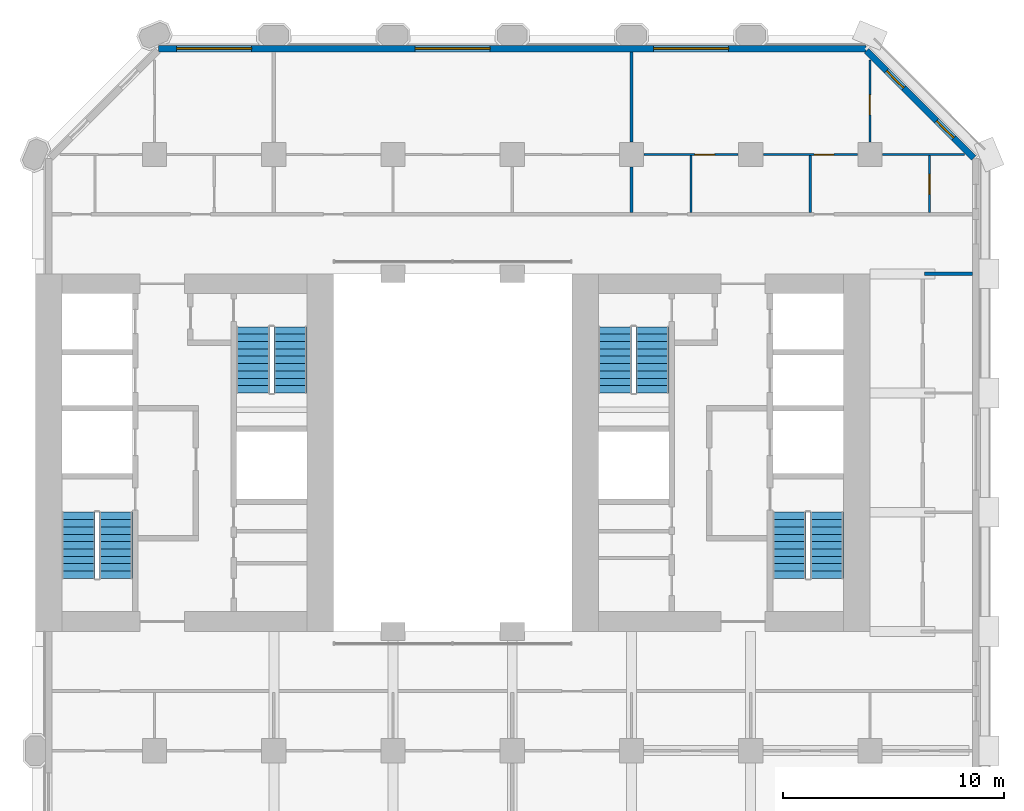
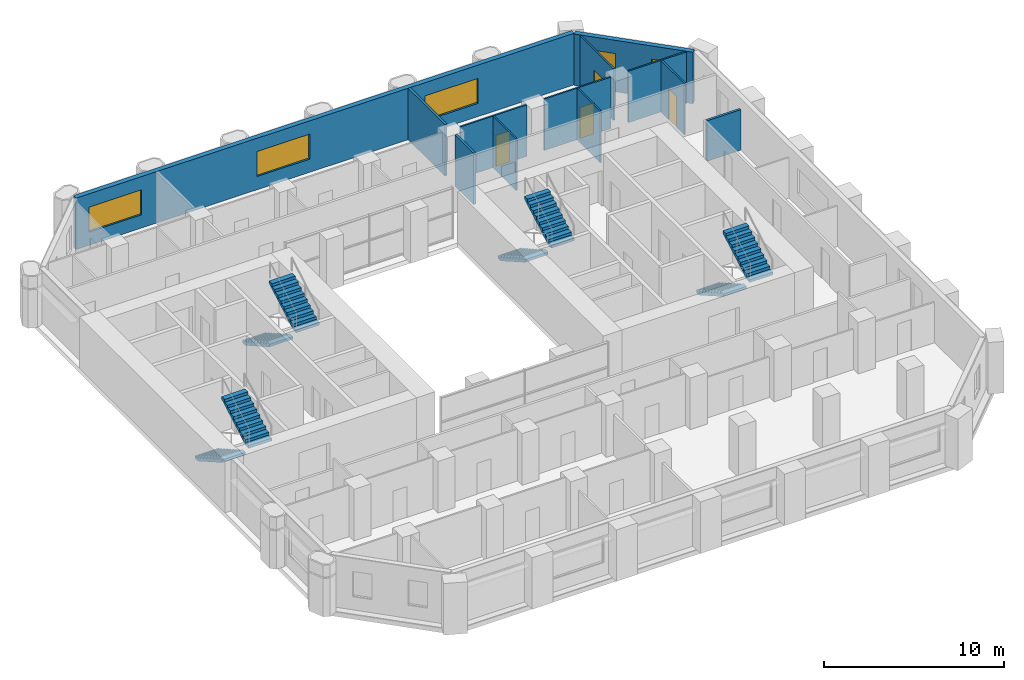
# One storey, part 11 of 13: 12 walls, 8 stair flights, 5 windows, 4 doors, 9 openings, 4 elements without a shape of their own.
"""IFC4 building model written with IfcOpenShell, lengths in metres."""

from ifc_helpers import new_model, si_unit, direction, frame, frame_2d, origin, place, context, subcontext, project, spatial, polyline, rectangle, outline, extrude, material, layer, layer_set, type_object, element, fill, aggregate, save


model = new_model("IFC4")

# Units and contexts
model_context = context("Model", 3, precision=1e-05, world=origin(), true_north=direction((0.0, 1.0)))
body_context = subcontext(model_context, "Body", "Model", "MODEL_VIEW")
ifc_project = project(units=[si_unit("LENGTHUNIT", "METRE"), si_unit("AREAUNIT", "SQUARE_METRE"), si_unit("VOLUMEUNIT", "CUBIC_METRE"), si_unit("PLANEANGLEUNIT", "RADIAN"), si_unit("MASSUNIT", "GRAM", prefix="KILO")], contexts=[model_context])

# Site, building, storey
site_placement = place(None, origin())
site = spatial("IfcSite", under=ifc_project, at=site_placement, CompositionType="ELEMENT")
building_placement = place(site_placement, origin())
building = spatial("IfcBuilding", under=site, at=building_placement, Name="Tabaq Tower and Sports Hall", CompositionType="ELEMENT")
storey_placement = place(building_placement, frame((0.0, 0.0, 45.0)))
storey = spatial("IfcBuildingStorey", under=building, at=storey_placement, Name="L09", CompositionType="ELEMENT", Elevation=45.0)

# Walls
ifc_material_1 = material(Name="Gypsum board on steel studs", Category="steel")
ifc_layer_1 = layer(ifc_material_1, 0.10009765625)
ifc_layer_set_1 = layer_set([ifc_layer_1], Name="Partition 100 Gypsum board")
wall_type_1 = type_object("IfcWallType", Name="Partition 100 Gypsum board", PredefinedType="PARTITIONING", material=ifc_layer_set_1)
for number, where, z_axis, x_axis, name in (
    (1, (35.10009765625, 35.175048828125, 0.0), (0.0, 0.0, 1.0), (0.0, 1.0, 0.0), "Partition wall L09"),
    (2, (40.5, 35.175048828125, 0.0), (0.0, 0.0, 1.0), (0.0, 1.0, 0.0), "Partition wall L09"),
):
    element("IfcWall", number, at=place(storey_placement, frame(where, z_axis=z_axis, x_axis=x_axis)), inside=storey, type_object=wall_type_1, Name=name, PredefinedType="PARTITIONING", context=body_context, shape_type="SweptSolid", body=[
        extrude(rectangle(XDim=2.574951171875, YDim=0.10009765625, at=frame_2d((1.28759765625, 0.0))), origin(), (0.0, 0.0, 1.0), 3.5),
    ])

# Wall, opening, door
wall_1_placement = place(storey_placement, frame((37.22998046875, 37.800048828125, 0.0), z_axis=(0.0, 0.0, 1.0), x_axis=(-1.0, 0.0, 0.0)))
wall_1 = element("IfcWall", 3, at=wall_1_placement, inside=storey, type_object=wall_type_1, Name="Partition wall L09", PredefinedType="PARTITIONING", context=body_context, shape_type="SweptSolid", body=[
    extrude(rectangle(XDim=4.260009765625, YDim=0.10009765625, at=frame_2d((2.1298828125, 0.0))), origin(), (0.0, 0.0, 1.0), 3.5),
])
opening_1_placement = place(wall_1_placement, frame((1.06005859375, 0.0, 0.0)))
opening_1 = element("IfcOpeningElement", 4, at=opening_1_placement, cuts=wall_1, Name="Opening L09-010", PredefinedType="OPENING", context=body_context, shape_type="SweptSolid", body=[
    extrude(rectangle(XDim=0.89990234375, YDim=2.10009765625, at=frame_2d((0.449951171875, 1.050048828125))), frame((0.0, 0.050048828125, 0.0), z_axis=(0.0, -1.0, 0.0), x_axis=(1.0, 0.0, 0.0)), (0.0, 0.0, 1.0), 0.10009765625),
])
ifc_material_2 = material(Name="Timber leaf in steel frame", Category="steel")
door_type_1 = type_object("IfcDoorType", Name="Internal door 900 right hand", OperationType="SINGLE_SWING_RIGHT", PredefinedType="DOOR", material=ifc_material_2)
door_1_placement = place(opening_1_placement, origin())
door_1 = element("IfcDoor", 5, at=door_1_placement, inside=storey, type_object=door_type_1, Name="Internal door L09-010", OperationType="SINGLE_SWING_RIGHT", OverallHeight=2.10009765625, OverallWidth=0.89990234375, PredefinedType="DOOR", context=body_context, shape_type="SweptSolid", body=[
    extrude(rectangle(XDim=0.89990234375, YDim=2.10009765625, at=frame_2d((0.449951171875, 1.050048828125))), frame((0.0, 0.02490234375, 0.0), z_axis=(0.0, -1.0, 0.0), x_axis=(1.0, 0.0, 0.0)), (0.0, 0.0, 1.0), 0.050048828125),
])
fill(opening_1, door_1)

wall_2_placement = place(storey_placement, frame((45.89990234375, 35.175048828125, 0.0), z_axis=(0.0, 0.0, 1.0), x_axis=(0.0, 1.0, 0.0)))
wall_2 = element("IfcWall", 6, at=wall_2_placement, inside=storey, type_object=wall_type_1, Name="Partition wall L09", PredefinedType="PARTITIONING", context=body_context, shape_type="SweptSolid", body=[
    extrude(rectangle(XDim=2.574951171875, YDim=0.10009765625, at=frame_2d((1.28759765625, 0.0))), origin(), (0.0, 0.0, 1.0), 3.5),
])
opening_2_placement = place(wall_2_placement, frame((0.824951171875, 0.0, 0.0)))
opening_2 = element("IfcOpeningElement", 7, at=opening_2_placement, cuts=wall_2, Name="Opening L09-011", PredefinedType="OPENING", context=body_context, shape_type="SweptSolid", body=[
    extrude(rectangle(XDim=0.89990234375, YDim=2.10009765625, at=frame_2d((0.449951171875, 1.050048828125))), frame((0.0, 0.050048828125, 0.0), z_axis=(0.0, -1.0, 0.0), x_axis=(1.0, 0.0, 0.0)), (0.0, 0.0, 1.0), 0.10009765625),
])
ifc_material_3 = material(Name="Timber leaf in steel frame", Category="steel")
door_type_2 = type_object("IfcDoorType", Name="Internal door 900 left hand", OperationType="SINGLE_SWING_LEFT", PredefinedType="DOOR", material=ifc_material_3)
door_2_placement = place(opening_2_placement, origin())
door_2 = element("IfcDoor", 8, at=door_2_placement, inside=storey, type_object=door_type_2, Name="Internal door L09-011", OperationType="SINGLE_SWING_LEFT", OverallHeight=2.10009765625, OverallWidth=0.89990234375, PredefinedType="DOOR", context=body_context, shape_type="SweptSolid", body=[
    extrude(rectangle(XDim=0.89990234375, YDim=2.10009765625, at=frame_2d((0.449951171875, 1.050048828125))), frame((0.0, 0.02490234375, 0.0), z_axis=(0.0, -1.0, 0.0), x_axis=(1.0, 0.0, 0.0)), (0.0, 0.0, 1.0), 0.050048828125),
])
fill(opening_2, door_2)

wall_3_placement = place(storey_placement, frame((42.6298828125, 37.800048828125, 0.0), z_axis=(0.0, 0.0, 1.0), x_axis=(-1.0, 0.0, 0.0)))
wall_3 = element("IfcWall", 9, at=wall_3_placement, inside=storey, type_object=wall_type_1, Name="Partition wall L09", PredefinedType="PARTITIONING", context=body_context, shape_type="SweptSolid", body=[
    extrude(rectangle(XDim=4.259765625, YDim=0.10009765625, at=frame_2d((2.1298828125, 0.0))), origin(), (0.0, 0.0, 1.0), 3.5),
])
opening_3_placement = place(wall_3_placement, frame((1.06005859375, 0.0, 0.0)))
opening_3 = element("IfcOpeningElement", 10, at=opening_3_placement, cuts=wall_3, Name="Opening L09-031", PredefinedType="OPENING", context=body_context, shape_type="SweptSolid", body=[
    extrude(rectangle(XDim=0.89990234375, YDim=2.10009765625, at=frame_2d((0.449951171875, 1.050048828125))), frame((0.0, 0.050048828125, 0.0), z_axis=(0.0, -1.0, 0.0), x_axis=(1.0, 0.0, 0.0)), (0.0, 0.0, 1.0), 0.10009765625),
])
door_3_placement = place(opening_3_placement, origin())
door_3 = element("IfcDoor", 11, at=door_3_placement, inside=storey, type_object=door_type_1, Name="Internal door L09-031", OperationType="SINGLE_SWING_RIGHT", OverallHeight=2.10009765625, OverallWidth=0.89990234375, PredefinedType="DOOR", context=body_context, shape_type="SweptSolid", body=[
    extrude(rectangle(XDim=0.89990234375, YDim=2.10009765625, at=frame_2d((0.449951171875, 1.050048828125))), frame((0.0, 0.02490234375, 0.0), z_axis=(0.0, -1.0, 0.0), x_axis=(1.0, 0.0, 0.0)), (0.0, 0.0, 1.0), 0.050048828125),
])
fill(opening_3, door_3)

# Wall
wall_4_placement = place(storey_placement, frame((47.48779296875, 37.800048828125, 0.0), z_axis=(0.0, 0.0, 1.0), x_axis=(-1.0, 0.0, 0.0)))
element("IfcWall", 12, at=wall_4_placement, inside=storey, type_object=wall_type_1, Name="Partition wall L09", PredefinedType="PARTITIONING", context=body_context, shape_type="SweptSolid", body=[
    extrude(rectangle(XDim=3.7177734375, YDim=0.10009765625, at=frame_2d((1.85888671875, 0.0))), origin(), (0.0, 0.0, 1.0), 3.5),
])

# Wall, opening, door
wall_5_placement = place(storey_placement, frame((43.199951171875, 38.3701171875, 0.0), z_axis=(0.0, 0.0, 1.0), x_axis=(0.0, 1.0, 0.0)))
wall_5 = element("IfcWall", 13, at=wall_5_placement, inside=storey, type_object=wall_type_1, Name="Partition wall L09", PredefinedType="PARTITIONING", context=body_context, shape_type="SweptSolid", body=[
    extrude(rectangle(XDim=3.7177734375, YDim=0.10009765625, at=frame_2d((1.85888671875, 0.0))), origin(), (0.0, 0.0, 1.0), 3.5),
])
opening_4_placement = place(wall_5_placement, frame((1.22998046875, 0.0, 0.0)))
opening_4 = element("IfcOpeningElement", 14, at=opening_4_placement, cuts=wall_5, Name="Opening L09-012", PredefinedType="OPENING", context=body_context, shape_type="SweptSolid", body=[
    extrude(rectangle(XDim=0.89990234375, YDim=2.10009765625, at=frame_2d((0.449951171875, 1.050048828125))), frame((0.0, 0.050048828125, 0.0), z_axis=(0.0, -1.0, 0.0), x_axis=(1.0, 0.0, 0.0)), (0.0, 0.0, 1.0), 0.10009765625),
])
door_4_placement = place(opening_4_placement, origin())
door_4 = element("IfcDoor", 15, at=door_4_placement, inside=storey, type_object=door_type_2, Name="Internal door L09-012", OperationType="SINGLE_SWING_LEFT", OverallHeight=2.10009765625, OverallWidth=0.89990234375, PredefinedType="DOOR", context=body_context, shape_type="SweptSolid", body=[
    extrude(rectangle(XDim=0.89990234375, YDim=2.10009765625, at=frame_2d((0.449951171875, 1.050048828125))), frame((0.0, 0.02490234375, 0.0), z_axis=(0.0, -1.0, 0.0), x_axis=(1.0, 0.0, 0.0)), (0.0, 0.0, 1.0), 0.050048828125),
])
fill(opening_4, door_4)

# Walls
ifc_material_4 = material(Name="Blockwork", Category="masonry")
ifc_layer_2 = layer(ifc_material_4, 0.14990234375)
ifc_layer_set_2 = layer_set([ifc_layer_2], Name="Separating wall 150 Blockwork")
wall_type_2 = type_object("IfcWallType", Name="Separating wall 150 Blockwork", PredefinedType="PARTITIONING", material=ifc_layer_set_2)
wall_6_placement = place(storey_placement, frame((45.675048828125, 32.39990234375, 0.0), z_axis=(0.0, 0.0, 1.0), x_axis=(1.0, 0.0, 0.0)))
element("IfcWall", 16, at=wall_6_placement, inside=storey, type_object=wall_type_2, Name="Separating wall L09", PredefinedType="PARTITIONING", context=body_context, shape_type="SweptSolid", body=[
    extrude(rectangle(XDim=2.174072265625, YDim=0.14990234375, at=frame_2d((1.0869140625, 0.0))), origin(), (0.0, 0.0, 1.0), 2.75),
])
wall_7_placement = place(storey_placement, frame((32.39990234375, 35.175048828125, 0.0), z_axis=(0.0, 0.0, 1.0), x_axis=(0.0, 1.0, 0.0)))
element("IfcWall", 17, at=wall_7_placement, inside=storey, type_object=wall_type_2, Name="Separating wall L09", PredefinedType="PARTITIONING", context=body_context, shape_type="SweptSolid", body=[
    extrude(rectangle(XDim=2.054931640625, YDim=0.14990234375, at=frame_2d((1.02734375, 0.0))), origin(), (0.0, 0.0, 1.0), 3.5),
])
wall_8_placement = place(storey_placement, frame((32.39990234375, 38.3701171875, 0.0), z_axis=(0.0, 0.0, 1.0), x_axis=(0.0, 1.0, 0.0)))
element("IfcWall", 18, at=wall_8_placement, inside=storey, type_object=wall_type_2, Name="Separating wall L09", PredefinedType="PARTITIONING", context=body_context, shape_type="SweptSolid", body=[
    extrude(rectangle(XDim=4.078857421875, YDim=0.14990234375, at=frame_2d((2.03955078125, 0.0))), origin(), (0.0, 0.0, 1.0), 3.5),
])

# Wall, openings, windows
ifc_material_5 = material(Name="White precast concrete C60/75", Category="concrete")
ifc_layer_3 = layer(ifc_material_5, 0.300048828125)
ifc_layer_set_3 = layer_set([ifc_layer_3], Name="White precast concrete C60/75 external wall 300")
wall_type_3 = type_object("IfcWallType", Name="White precast concrete C60/75 external wall 300", PredefinedType="SOLIDWALL", material=ifc_layer_set_3)
wall_9_placement = place(storey_placement, frame((47.901123046875, 37.650390625, 0.0), z_axis=(0.0, 0.0, 1.0), x_axis=(-0.707106781187, 0.707106781187, 0.0)))
wall_9 = element("IfcWall", 19, at=wall_9_placement, inside=storey, type_object=wall_type_3, Name="External Wall L09 NE", PredefinedType="SOLIDWALL", context=body_context, shape_type="SweptSolid", body=[
    extrude(rectangle(XDim=6.85986328125, YDim=0.300048828125, at=frame_2d((3.429931640625, 0.0))), origin(), (0.0, 0.0, 1.0), 3.5),
])
opening_5_placement = place(wall_9_placement, frame((1.27978515625, 0.0, 0.89990234375)))
opening_5 = element("IfcOpeningElement", 20, at=opening_5_placement, cuts=wall_9, Name="Opening W1B", PredefinedType="OPENING", context=body_context, shape_type="SweptSolid", body=[
    extrude(rectangle(XDim=1.10009765625, YDim=1.699951171875, at=frame_2d((0.550048828125, 0.85009765625))), frame((0.0, 0.16015625, 0.0), z_axis=(0.0, -1.0, 0.0), x_axis=(1.0, 0.0, 0.0)), (0.0, 0.0, 1.0), 0.320068359375),
])
opening_6_placement = place(wall_9_placement, frame((4.479736328125, 0.0, 0.89990234375)))
opening_6 = element("IfcOpeningElement", 21, at=opening_6_placement, cuts=wall_9, Name="Opening W1B", PredefinedType="OPENING", context=body_context, shape_type="SweptSolid", body=[
    extrude(rectangle(XDim=1.10009765625, YDim=1.699951171875, at=frame_2d((0.550048828125, 0.85009765625))), frame((0.0, 0.16015625, 0.0), z_axis=(0.0, -1.0, 0.0), x_axis=(1.0, 0.0, 0.0)), (0.0, 0.0, 1.0), 0.320068359375),
])
ifc_material_6 = material(Name="Aluminium framed clear glazing", Category="aluminium")
window_type_1 = type_object("IfcWindowType", Name="Window W1B", PartitioningType="SINGLE_PANEL", PredefinedType="WINDOW", material=ifc_material_6)
window_1_placement = place(opening_5_placement, origin())
window_1 = element("IfcWindow", 22, at=window_1_placement, inside=storey, type_object=window_type_1, Name="Window W1B L09", OverallHeight=1.699951171875, OverallWidth=1.10009765625, PartitioningType="SINGLE_PANEL", PredefinedType="WINDOW", context=body_context, shape_type="SweptSolid", body=[
    extrude(rectangle(XDim=1.10009765625, YDim=1.699951171875, at=frame_2d((0.550048828125, 0.85009765625))), frame((0.0, 0.030029296875, 0.0), z_axis=(0.0, -1.0, 0.0), x_axis=(1.0, 0.0, 0.0)), (0.0, 0.0, 1.0), 0.06005859375),
])
fill(opening_5, window_1)
window_2_placement = place(opening_6_placement, origin())
window_2 = element("IfcWindow", 23, at=window_2_placement, inside=storey, type_object=window_type_1, Name="Window W1B L09", OverallHeight=1.699951171875, OverallWidth=1.10009765625, PartitioningType="SINGLE_PANEL", PredefinedType="WINDOW", context=body_context, shape_type="SweptSolid", body=[
    extrude(rectangle(XDim=1.10009765625, YDim=1.699951171875, at=frame_2d((0.550048828125, 0.85009765625))), frame((0.0, 0.030029296875, 0.0), z_axis=(0.0, -1.0, 0.0), x_axis=(1.0, 0.0, 0.0)), (0.0, 0.0, 1.0), 0.06005859375),
])
fill(opening_6, window_2)

wall_10_placement = place(storey_placement, frame((43.013671875, 42.60009765625, 0.0), z_axis=(0.0, 0.0, 1.0), x_axis=(-1.0, 0.0, 0.0)))
wall_10 = element("IfcWall", 24, at=wall_10_placement, inside=storey, type_object=wall_type_3, Name="External Wall L09 N", PredefinedType="SOLIDWALL", context=body_context, shape_type="SweptSolid", body=[
    extrude(rectangle(XDim=32.02734375, YDim=0.300048828125, at=frame_2d((16.013671875, 0.0))), origin(), (0.0, 0.0, 1.0), 3.5),
])
opening_7_placement = place(wall_10_placement, frame((6.213623046875, 0.0, 0.89990234375)))
opening_7 = element("IfcOpeningElement", 25, at=opening_7_placement, cuts=wall_10, Name="Opening W1A", PredefinedType="OPENING", context=body_context, shape_type="SweptSolid", body=[
    extrude(rectangle(XDim=3.39990234375, YDim=1.699951171875, at=frame_2d((1.699951171875, 0.85009765625))), frame((0.0, 0.16015625, 0.0), z_axis=(0.0, -1.0, 0.0), x_axis=(1.0, 0.0, 0.0)), (0.0, 0.0, 1.0), 0.320068359375),
])
opening_8_placement = place(wall_10_placement, frame((17.013671875, 0.0, 0.89990234375)))
opening_8 = element("IfcOpeningElement", 26, at=opening_8_placement, cuts=wall_10, Name="Opening W1A", PredefinedType="OPENING", context=body_context, shape_type="SweptSolid", body=[
    extrude(rectangle(XDim=3.39990234375, YDim=1.699951171875, at=frame_2d((1.699951171875, 0.85009765625))), frame((0.0, 0.16015625, 0.0), z_axis=(0.0, -1.0, 0.0), x_axis=(1.0, 0.0, 0.0)), (0.0, 0.0, 1.0), 0.320068359375),
])
opening_9_placement = place(wall_10_placement, frame((27.813720703125, 0.0, 0.89990234375)))
opening_9 = element("IfcOpeningElement", 27, at=opening_9_placement, cuts=wall_10, Name="Opening W1A", PredefinedType="OPENING", context=body_context, shape_type="SweptSolid", body=[
    extrude(rectangle(XDim=3.39990234375, YDim=1.699951171875, at=frame_2d((1.699951171875, 0.85009765625))), frame((0.0, 0.16015625, 0.0), z_axis=(0.0, -1.0, 0.0), x_axis=(1.0, 0.0, 0.0)), (0.0, 0.0, 1.0), 0.320068359375),
])
ifc_material_7 = material(Name="Aluminium framed clear glazing", Category="aluminium")
window_type_2 = type_object("IfcWindowType", Name="Window W1A", PartitioningType="SINGLE_PANEL", PredefinedType="WINDOW", material=ifc_material_7)
window_3_placement = place(opening_7_placement, origin())
window_3 = element("IfcWindow", 28, at=window_3_placement, inside=storey, type_object=window_type_2, Name="Window W1A L09", OverallHeight=1.699951171875, OverallWidth=3.39990234375, PartitioningType="SINGLE_PANEL", PredefinedType="WINDOW", context=body_context, shape_type="SweptSolid", body=[
    extrude(rectangle(XDim=3.39990234375, YDim=1.699951171875, at=frame_2d((1.699951171875, 0.85009765625))), frame((0.0, 0.030029296875, 0.0), z_axis=(0.0, -1.0, 0.0), x_axis=(1.0, 0.0, 0.0)), (0.0, 0.0, 1.0), 0.06005859375),
])
fill(opening_7, window_3)
window_4_placement = place(opening_8_placement, origin())
window_4 = element("IfcWindow", 29, at=window_4_placement, inside=storey, type_object=window_type_2, Name="Window W1A L09", OverallHeight=1.699951171875, OverallWidth=3.39990234375, PartitioningType="SINGLE_PANEL", PredefinedType="WINDOW", context=body_context, shape_type="SweptSolid", body=[
    extrude(rectangle(XDim=3.39990234375, YDim=1.699951171875, at=frame_2d((1.699951171875, 0.85009765625))), frame((0.0, 0.030029296875, 0.0), z_axis=(0.0, -1.0, 0.0), x_axis=(1.0, 0.0, 0.0)), (0.0, 0.0, 1.0), 0.06005859375),
])
fill(opening_8, window_4)
window_5_placement = place(opening_9_placement, origin())
window_5 = element("IfcWindow", 30, at=window_5_placement, inside=storey, type_object=window_type_2, Name="Window W1A L09", OverallHeight=1.699951171875, OverallWidth=3.39990234375, PartitioningType="SINGLE_PANEL", PredefinedType="WINDOW", context=body_context, shape_type="SweptSolid", body=[
    extrude(rectangle(XDim=3.39990234375, YDim=1.699951171875, at=frame_2d((1.699951171875, 0.85009765625))), frame((0.0, 0.030029296875, 0.0), z_axis=(0.0, -1.0, 0.0), x_axis=(1.0, 0.0, 0.0)), (0.0, 0.0, 1.0), 0.06005859375),
])
fill(opening_9, window_5)

# Stair, stair flights
ifc_material_8 = material(Name="Concrete C40/50", Category="concrete")
stair_type = type_object("IfcStairType", Name="Exit stair", PredefinedType="HALF_TURN_STAIR", material=ifc_material_8)
stair_1_placement = place(storey_placement, origin())
stair_1 = element("IfcStair", 31, at=stair_1_placement, inside=storey, type_object=stair_type, Name="L09 Exit stair ST1", PredefinedType="HALF_TURN_STAIR")
ifc_material_9 = material(Name="Concrete C40/50", Category="concrete")
stair_flight_type = type_object("IfcStairFlightType", Name="Exit stair flight", PredefinedType="STRAIGHT", material=ifc_material_9)
stair_flight_1_placement = place(storey_placement, frame((7.35009765625, 21.60009765625, 0.0), z_axis=(0.0, 0.0, 1.0), x_axis=(0.0, -1.0, 0.0)))
stair_flight_1 = element("IfcStairFlight", 32, at=stair_flight_1_placement, type_object=stair_flight_type, Name="ST1 flight 1", NumberOfRisers=10, NumberOfTreads=9, PredefinedType="STRAIGHT", RiserHeight=0.19, TreadLength=0.333333333, context=body_context, shape_type="SweptSolid", body=[
    extrude(outline(polyline([(0.0, 0.0), (0.0, 0.18994140625), (0.333251953125, 0.18994140625), (0.333251953125, 0.3798828125), (0.666748046875, 0.3798828125), (0.666748046875, 0.570068359375), (1.0, 0.570068359375), (1.0, 0.760009765625), (1.333251953125, 0.760009765625), (1.333251953125, 0.949951171875), (1.666748046875, 0.949951171875), (1.666748046875, 1.139892578125), (2.0, 1.139892578125), (2.0, 1.330078125), (2.333251953125, 1.330078125), (2.333251953125, 1.52001953125), (2.666748046875, 1.52001953125), (2.666748046875, 1.7099609375), (3.0, 1.7099609375), (3.0, 1.89990234375), (3.0, 1.537353515625), (0.302734375, 0.0), (0.0, 0.0)])), frame((0.0, 0.75, 0.0), z_axis=(0.0, -1.0, 0.0), x_axis=(1.0, 0.0, 0.0)), (0.0, 0.0, 1.0), 1.5),
])
stair_flight_2_placement = place(storey_placement, frame((9.050048828125, 18.60009765625, 1.89990234375), z_axis=(0.0, 0.0, 1.0), x_axis=(0.0, 1.0, 0.0)))
stair_flight_2 = element("IfcStairFlight", 33, at=stair_flight_2_placement, type_object=stair_flight_type, Name="ST1 flight 2", NumberOfRisers=10, NumberOfTreads=9, PredefinedType="STRAIGHT", RiserHeight=0.19, TreadLength=0.333333333, context=body_context, shape_type="SweptSolid", body=[
    extrude(outline(polyline([(0.0, 0.0), (0.0, 0.18994140625), (0.333251953125, 0.18994140625), (0.333251953125, 0.3798828125), (0.666748046875, 0.3798828125), (0.666748046875, 0.570068359375), (1.0, 0.570068359375), (1.0, 0.760009765625), (1.333251953125, 0.760009765625), (1.333251953125, 0.949951171875), (1.666748046875, 0.949951171875), (1.666748046875, 1.139892578125), (2.0, 1.139892578125), (2.0, 1.330078125), (2.333251953125, 1.330078125), (2.333251953125, 1.52001953125), (2.666748046875, 1.52001953125), (2.666748046875, 1.7099609375), (3.0, 1.7099609375), (3.0, 1.89990234375), (3.0, 1.537353515625), (0.302734375, 0.0), (0.0, 0.0)])), frame((0.0, 0.75, 0.0), z_axis=(0.0, -1.0, 0.0), x_axis=(1.0, 0.0, 0.0)), (0.0, 0.0, 1.0), 1.5),
])
aggregate(stair_1, [stair_flight_1, stair_flight_2])

stair_2_placement = place(storey_placement, origin())
stair_2 = element("IfcStair", 34, at=stair_2_placement, inside=storey, type_object=stair_type, Name="L09 Exit stair ST2", PredefinedType="HALF_TURN_STAIR")
stair_flight_3_placement = place(storey_placement, frame((15.25, 30.0, 0.0), z_axis=(0.0, 0.0, 1.0), x_axis=(0.0, -1.0, 0.0)))
stair_flight_3 = element("IfcStairFlight", 35, at=stair_flight_3_placement, type_object=stair_flight_type, Name="ST2 flight 1", NumberOfRisers=10, NumberOfTreads=9, PredefinedType="STRAIGHT", RiserHeight=0.19, TreadLength=0.333333333, context=body_context, shape_type="SweptSolid", body=[
    extrude(outline(polyline([(0.0, 0.0), (0.0, 0.18994140625), (0.333251953125, 0.18994140625), (0.333251953125, 0.3798828125), (0.666748046875, 0.3798828125), (0.666748046875, 0.570068359375), (1.0, 0.570068359375), (1.0, 0.760009765625), (1.333251953125, 0.760009765625), (1.333251953125, 0.949951171875), (1.666748046875, 0.949951171875), (1.666748046875, 1.139892578125), (2.0, 1.139892578125), (2.0, 1.330078125), (2.333251953125, 1.330078125), (2.333251953125, 1.52001953125), (2.666748046875, 1.52001953125), (2.666748046875, 1.7099609375), (3.0, 1.7099609375), (3.0, 1.89990234375), (3.0, 1.537353515625), (0.302734375, 0.0), (0.0, 0.0)])), frame((0.0, 0.75, 0.0), z_axis=(0.0, -1.0, 0.0), x_axis=(1.0, 0.0, 0.0)), (0.0, 0.0, 1.0), 1.5),
])
stair_flight_4_placement = place(storey_placement, frame((16.949951171875, 27.0, 1.89990234375), z_axis=(0.0, 0.0, 1.0), x_axis=(0.0, 1.0, 0.0)))
stair_flight_4 = element("IfcStairFlight", 36, at=stair_flight_4_placement, type_object=stair_flight_type, Name="ST2 flight 2", NumberOfRisers=10, NumberOfTreads=9, PredefinedType="STRAIGHT", RiserHeight=0.19, TreadLength=0.333333333, context=body_context, shape_type="SweptSolid", body=[
    extrude(outline(polyline([(0.0, 0.0), (0.0, 0.18994140625), (0.333251953125, 0.18994140625), (0.333251953125, 0.3798828125), (0.666748046875, 0.3798828125), (0.666748046875, 0.570068359375), (1.0, 0.570068359375), (1.0, 0.760009765625), (1.333251953125, 0.760009765625), (1.333251953125, 0.949951171875), (1.666748046875, 0.949951171875), (1.666748046875, 1.139892578125), (2.0, 1.139892578125), (2.0, 1.330078125), (2.333251953125, 1.330078125), (2.333251953125, 1.52001953125), (2.666748046875, 1.52001953125), (2.666748046875, 1.7099609375), (3.0, 1.7099609375), (3.0, 1.89990234375), (3.0, 1.537353515625), (0.302734375, 0.0), (0.0, 0.0)])), frame((0.0, 0.75, 0.0), z_axis=(0.0, -1.0, 0.0), x_axis=(1.0, 0.0, 0.0)), (0.0, 0.0, 1.0), 1.5),
])
aggregate(stair_2, [stair_flight_3, stair_flight_4])

stair_3_placement = place(storey_placement, origin())
stair_3 = element("IfcStair", 37, at=stair_3_placement, inside=storey, type_object=stair_type, Name="L09 Exit stair ST3", PredefinedType="HALF_TURN_STAIR")
stair_flight_5_placement = place(storey_placement, frame((39.550048828125, 21.60009765625, 0.0), z_axis=(0.0, 0.0, 1.0), x_axis=(0.0, -1.0, 0.0)))
stair_flight_5 = element("IfcStairFlight", 38, at=stair_flight_5_placement, type_object=stair_flight_type, Name="ST3 flight 1", NumberOfRisers=10, NumberOfTreads=9, PredefinedType="STRAIGHT", RiserHeight=0.19, TreadLength=0.333333333, context=body_context, shape_type="SweptSolid", body=[
    extrude(outline(polyline([(0.0, 0.0), (0.0, 0.18994140625), (0.333251953125, 0.18994140625), (0.333251953125, 0.3798828125), (0.666748046875, 0.3798828125), (0.666748046875, 0.570068359375), (1.0, 0.570068359375), (1.0, 0.760009765625), (1.333251953125, 0.760009765625), (1.333251953125, 0.949951171875), (1.666748046875, 0.949951171875), (1.666748046875, 1.139892578125), (2.0, 1.139892578125), (2.0, 1.330078125), (2.333251953125, 1.330078125), (2.333251953125, 1.52001953125), (2.666748046875, 1.52001953125), (2.666748046875, 1.7099609375), (3.0, 1.7099609375), (3.0, 1.89990234375), (3.0, 1.537353515625), (0.302734375, 0.0), (0.0, 0.0)])), frame((0.0, 0.75, 0.0), z_axis=(0.0, -1.0, 0.0), x_axis=(1.0, 0.0, 0.0)), (0.0, 0.0, 1.0), 1.5),
])
stair_flight_6_placement = place(storey_placement, frame((41.25, 18.60009765625, 1.89990234375), z_axis=(0.0, 0.0, 1.0), x_axis=(0.0, 1.0, 0.0)))
stair_flight_6 = element("IfcStairFlight", 39, at=stair_flight_6_placement, type_object=stair_flight_type, Name="ST3 flight 2", NumberOfRisers=10, NumberOfTreads=9, PredefinedType="STRAIGHT", RiserHeight=0.19, TreadLength=0.333333333, context=body_context, shape_type="SweptSolid", body=[
    extrude(outline(polyline([(0.0, 0.0), (0.0, 0.18994140625), (0.333251953125, 0.18994140625), (0.333251953125, 0.3798828125), (0.666748046875, 0.3798828125), (0.666748046875, 0.570068359375), (1.0, 0.570068359375), (1.0, 0.760009765625), (1.333251953125, 0.760009765625), (1.333251953125, 0.949951171875), (1.666748046875, 0.949951171875), (1.666748046875, 1.139892578125), (2.0, 1.139892578125), (2.0, 1.330078125), (2.333251953125, 1.330078125), (2.333251953125, 1.52001953125), (2.666748046875, 1.52001953125), (2.666748046875, 1.7099609375), (3.0, 1.7099609375), (3.0, 1.89990234375), (3.0, 1.537353515625), (0.302734375, 0.0), (0.0, 0.0)])), frame((0.0, 0.75, 0.0), z_axis=(0.0, -1.0, 0.0), x_axis=(1.0, 0.0, 0.0)), (0.0, 0.0, 1.0), 1.5),
])
aggregate(stair_3, [stair_flight_5, stair_flight_6])

stair_4_placement = place(storey_placement, origin())
stair_4 = element("IfcStair", 40, at=stair_4_placement, inside=storey, type_object=stair_type, Name="L09 Exit stair ST4", PredefinedType="HALF_TURN_STAIR")
stair_flight_7_placement = place(storey_placement, frame((31.64990234375, 30.0, 0.0), z_axis=(0.0, 0.0, 1.0), x_axis=(0.0, -1.0, 0.0)))
stair_flight_7 = element("IfcStairFlight", 41, at=stair_flight_7_placement, type_object=stair_flight_type, Name="ST4 flight 1", NumberOfRisers=10, NumberOfTreads=9, PredefinedType="STRAIGHT", RiserHeight=0.19, TreadLength=0.333333333, context=body_context, shape_type="SweptSolid", body=[
    extrude(outline(polyline([(0.0, 0.0), (0.0, 0.18994140625), (0.333251953125, 0.18994140625), (0.333251953125, 0.3798828125), (0.666748046875, 0.3798828125), (0.666748046875, 0.570068359375), (1.0, 0.570068359375), (1.0, 0.760009765625), (1.333251953125, 0.760009765625), (1.333251953125, 0.949951171875), (1.666748046875, 0.949951171875), (1.666748046875, 1.139892578125), (2.0, 1.139892578125), (2.0, 1.330078125), (2.333251953125, 1.330078125), (2.333251953125, 1.52001953125), (2.666748046875, 1.52001953125), (2.666748046875, 1.7099609375), (3.0, 1.7099609375), (3.0, 1.89990234375), (3.0, 1.537353515625), (0.302734375, 0.0), (0.0, 0.0)])), frame((0.0, 0.75, 0.0), z_axis=(0.0, -1.0, 0.0), x_axis=(1.0, 0.0, 0.0)), (0.0, 0.0, 1.0), 1.5),
])
stair_flight_8_placement = place(storey_placement, frame((33.35009765625, 27.0, 1.89990234375), z_axis=(0.0, 0.0, 1.0), x_axis=(0.0, 1.0, 0.0)))
stair_flight_8 = element("IfcStairFlight", 42, at=stair_flight_8_placement, type_object=stair_flight_type, Name="ST4 flight 2", NumberOfRisers=10, NumberOfTreads=9, PredefinedType="STRAIGHT", RiserHeight=0.19, TreadLength=0.333333333, context=body_context, shape_type="SweptSolid", body=[
    extrude(outline(polyline([(0.0, 0.0), (0.0, 0.18994140625), (0.333251953125, 0.18994140625), (0.333251953125, 0.3798828125), (0.666748046875, 0.3798828125), (0.666748046875, 0.570068359375), (1.0, 0.570068359375), (1.0, 0.760009765625), (1.333251953125, 0.760009765625), (1.333251953125, 0.949951171875), (1.666748046875, 0.949951171875), (1.666748046875, 1.139892578125), (2.0, 1.139892578125), (2.0, 1.330078125), (2.333251953125, 1.330078125), (2.333251953125, 1.52001953125), (2.666748046875, 1.52001953125), (2.666748046875, 1.7099609375), (3.0, 1.7099609375), (3.0, 1.89990234375), (3.0, 1.537353515625), (0.302734375, 0.0), (0.0, 0.0)])), frame((0.0, 0.75, 0.0), z_axis=(0.0, -1.0, 0.0), x_axis=(1.0, 0.0, 0.0)), (0.0, 0.0, 1.0), 1.5),
])
aggregate(stair_4, [stair_flight_7, stair_flight_8])

save(model, "model.ifc")
